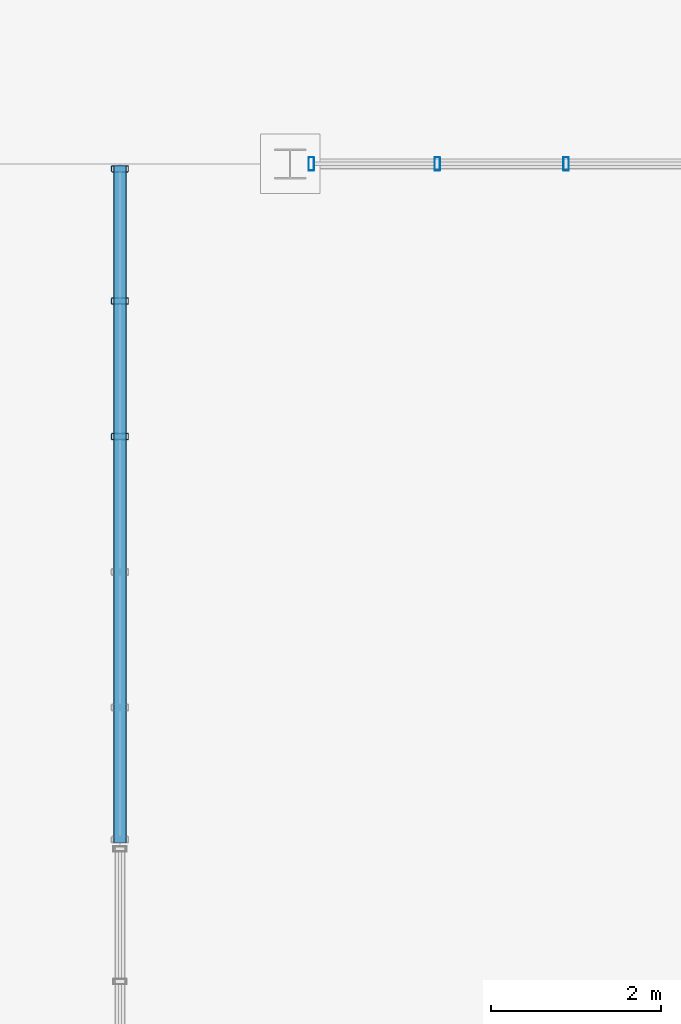
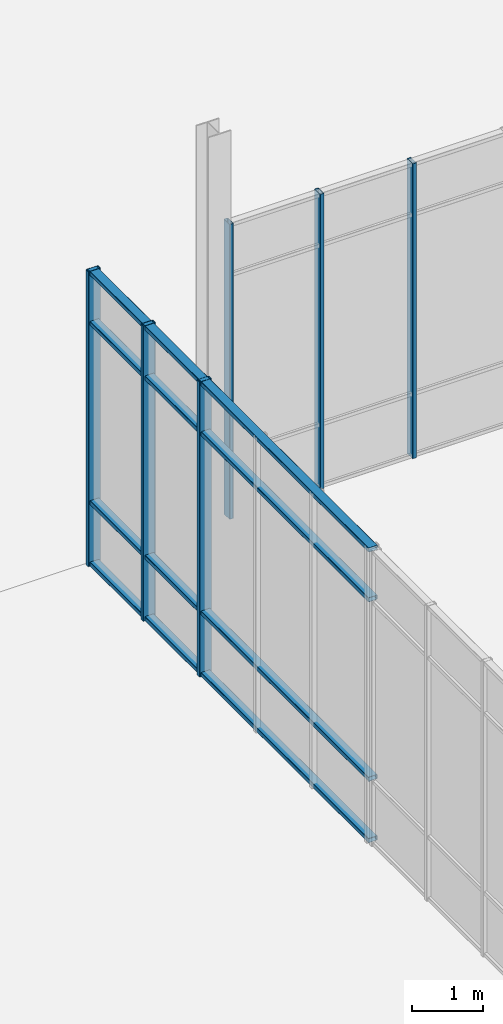
# One storey, part 63 of 140: 10 members, 2 elements without a shape of their own.
"""IFC4 building model written with IfcOpenShell, lengths in metres."""

from ifc_helpers import new_model, si_unit, direction, frame, origin, origin_2d, place, context, subcontext, project, spatial, hollow_rectangle, extrude, material, material_profile, profile_set, type_object, element, aggregate, save


model = new_model("IFC4")

# Units and contexts
model_context = context("Model", 3, precision=1e-05, world=origin(), true_north=direction((0.0, 1.0)))
body_context = subcontext(model_context, "Body", "Model", "MODEL_VIEW")
ifc_project = project(units=[si_unit("LENGTHUNIT", "METRE"), si_unit("AREAUNIT", "SQUARE_METRE"), si_unit("VOLUMEUNIT", "CUBIC_METRE"), si_unit("PLANEANGLEUNIT", "RADIAN"), si_unit("MASSUNIT", "GRAM", prefix="KILO")], contexts=[model_context])

# Site, building, storey
site_placement = place(None, origin())
site = spatial("IfcSite", under=ifc_project, at=site_placement, CompositionType="ELEMENT")
building_placement = place(site_placement, origin())
building = spatial("IfcBuilding", under=site, at=building_placement, Name="Verrall Gate Interchange", CompositionType="ELEMENT")
storey_placement = place(building_placement, origin())
storey = spatial("IfcBuildingStorey", under=building, at=storey_placement, Name="L01", CompositionType="ELEMENT", Elevation=0.0)

# Curtain wall, members
ifc_material_1 = material(Name="Thermally Broken Anodized Aluminium Curtain Wall Framing", Category="aluminium")
curtain_wall_type_1 = type_object("IfcCurtainWallType", Name="CW-06 Unitized Curtain Wall 7631x5100", PredefinedType="NOTDEFINED", material=ifc_material_1)
curtain_wall_1_placement = place(storey_placement, origin())
curtain_wall_1 = element("IfcCurtainWall", 1, at=curtain_wall_1_placement, inside=storey, type_object=curtain_wall_type_1, Name="L01 Unitized Curtain Wall CW-L01-034", PredefinedType="NOTDEFINED")
ifc_material_2 = material(Name="Thermally Broken Anodized Aluminium Curtain Wall Framing", Category="aluminium")
ifc_material_profile_1 = material_profile(ifc_material_2, hollow_rectangle(XDim=0.06494140625, YDim=0.159912109375, WallThickness=0.00390625, InnerFilletRadius=0.00390625, OuterFilletRadius=0.008056640625, at=origin_2d()), Name="CWM160x65x4")
ifc_profile_set_1 = profile_set([ifc_material_profile_1], Name="Thermally Broken Anodized Aluminium Curtain Wall Framing")
member_type_1 = type_object("IfcMemberType", Name="CM-01 Curtain Mullion CWM160x65x4", PredefinedType="MULLION", material=ifc_profile_set_1)
member_1_placement = place(storey_placement, frame((63.243408203125, 90.0, 0.0), z_axis=(0.0, 0.0, 1.0), x_axis=(-1.0, 0.0, 0.0)))
member_1 = element("IfcMember", 2, at=member_1_placement, type_object=member_type_1, Name="CW-L01-034 Mullion 4", PredefinedType="MULLION", context=body_context, shape_type="SweptSolid", body=[
    extrude(hollow_rectangle(XDim=0.06494140625, YDim=0.159912109375, WallThickness=0.00390625, InnerFilletRadius=0.00390625, OuterFilletRadius=0.008056640625, at=origin_2d()), origin(), (0.0, 0.0, 1.0), 5.10009765625),
])
member_2_placement = place(storey_placement, frame((61.72998046875, 90.0, 0.0), z_axis=(0.0, 0.0, 1.0), x_axis=(-1.0, 0.0, 0.0)))
member_2 = element("IfcMember", 3, at=member_2_placement, type_object=member_type_1, Name="CW-L01-034 Mullion 5", PredefinedType="MULLION", context=body_context, shape_type="SweptSolid", body=[
    extrude(hollow_rectangle(XDim=0.06494140625, YDim=0.159912109375, WallThickness=0.00390625, InnerFilletRadius=0.00390625, OuterFilletRadius=0.008056640625, at=origin_2d()), origin(), (0.0, 0.0, 1.0), 5.10009765625),
])
member_3_placement = place(storey_placement, frame((60.2490234375, 90.0, 0.0), z_axis=(0.0, 0.0, 1.0), x_axis=(-1.0, 0.0, 0.0)))
member_3 = element("IfcMember", 4, at=member_3_placement, type_object=member_type_1, Name="CW-L01-034 Mullion 6", PredefinedType="MULLION", context=body_context, shape_type="SweptSolid", body=[
    extrude(hollow_rectangle(XDim=0.06494140625, YDim=0.159912109375, WallThickness=0.00390625, InnerFilletRadius=0.00390625, OuterFilletRadius=0.008056640625, at=origin_2d()), origin(), (0.0, 0.0, 1.0), 5.10009765625),
])
aggregate(curtain_wall_1, [member_1, member_2, member_3])

ifc_material_3 = material(Name="Thermally Broken Anodized Aluminium Curtain Wall Framing", Category="aluminium")
curtain_wall_type_2 = type_object("IfcCurtainWallType", Name="CW-09 Unitized Curtain Wall 7960x5100", PredefinedType="NOTDEFINED", material=ifc_material_3)
curtain_wall_2_placement = place(storey_placement, origin())
curtain_wall_2 = element("IfcCurtainWall", 5, at=curtain_wall_2_placement, inside=storey, type_object=curtain_wall_type_2, Name="L01 Unitized Curtain Wall CW-L01-035", PredefinedType="NOTDEFINED")
ifc_material_4 = material(Name="Thermally Broken Anodized Aluminium Curtain Wall Framing", Category="aluminium")
ifc_material_profile_2 = material_profile(ifc_material_4, hollow_rectangle(XDim=0.074951171875, YDim=0.199951171875, WallThickness=0.0048828125, InnerFilletRadius=0.0048828125, OuterFilletRadius=0.010009765625, at=origin_2d()), Name="CWM200x75x5")
ifc_profile_set_2 = profile_set([ifc_material_profile_2], Name="Thermally Broken Anodized Aluminium Curtain Wall Framing")
member_type_2 = type_object("IfcMemberType", Name="CM-02 Curtain Mullion CWM200x75x5", PredefinedType="MULLION", material=ifc_profile_set_2)
member_4_placement = place(storey_placement, frame((58.0, 89.9423828125, 0.0), z_axis=(0.0, 0.0, 1.0), x_axis=(0.0, -1.0, 0.0)))
member_4 = element("IfcMember", 6, at=member_4_placement, type_object=member_type_2, Name="CW-L01-035 Mullion 1", PredefinedType="MULLION", context=body_context, shape_type="SweptSolid", body=[
    extrude(hollow_rectangle(XDim=0.074951171875, YDim=0.199951171875, WallThickness=0.0048828125, InnerFilletRadius=0.0048828125, OuterFilletRadius=0.010009765625, at=origin_2d()), origin(), (0.0, 0.0, 1.0), 5.10009765625),
])
member_5_placement = place(storey_placement, frame((58.0, 88.387939453125, 0.0), z_axis=(0.0, 0.0, 1.0), x_axis=(0.0, -1.0, 0.0)))
member_5 = element("IfcMember", 7, at=member_5_placement, type_object=member_type_2, Name="CW-L01-035 Mullion 2", PredefinedType="MULLION", context=body_context, shape_type="SweptSolid", body=[
    extrude(hollow_rectangle(XDim=0.074951171875, YDim=0.199951171875, WallThickness=0.0048828125, InnerFilletRadius=0.0048828125, OuterFilletRadius=0.010009765625, at=origin_2d()), origin(), (0.0, 0.0, 1.0), 5.10009765625),
])
member_6_placement = place(storey_placement, frame((58.0, 86.7958984375, 0.0), z_axis=(0.0, 0.0, 1.0), x_axis=(0.0, -1.0, 0.0)))
member_6 = element("IfcMember", 8, at=member_6_placement, type_object=member_type_2, Name="CW-L01-035 Mullion 3", PredefinedType="MULLION", context=body_context, shape_type="SweptSolid", body=[
    extrude(hollow_rectangle(XDim=0.074951171875, YDim=0.199951171875, WallThickness=0.0048828125, InnerFilletRadius=0.0048828125, OuterFilletRadius=0.010009765625, at=origin_2d()), origin(), (0.0, 0.0, 1.0), 5.10009765625),
])
ifc_material_5 = material(Name="Thermally Broken Anodized Aluminium Curtain Wall Framing", Category="aluminium")
ifc_material_profile_3 = material_profile(ifc_material_5, hollow_rectangle(XDim=0.14990234375, YDim=0.074951171875, WallThickness=0.00439453125, InnerFilletRadius=0.00439453125, OuterFilletRadius=0.009033203125, at=origin_2d()), Name="CWT150x75x4.5")
ifc_profile_set_3 = profile_set([ifc_material_profile_3], Name="Thermally Broken Anodized Aluminium Curtain Wall Framing")
member_type_3 = type_object("IfcMemberType", Name="CT-02 Curtain Transom CWT150x75x4.5", PredefinedType="USERDEFINED", material=ifc_profile_set_3)
member_7_placement = place(storey_placement, frame((58.0, 89.97998046875, 0.03759765625), z_axis=(0.0, -1.0, 0.0), x_axis=(1.0, 0.0, 0.0)))
member_7 = element("IfcMember", 9, at=member_7_placement, type_object=member_type_3, Name="CW-L01-035 Transom 1", ObjectType="TRANSOM", PredefinedType="USERDEFINED", context=body_context, shape_type="SweptSolid", body=[
    extrude(hollow_rectangle(XDim=0.14990234375, YDim=0.074951171875, WallThickness=0.00439453125, InnerFilletRadius=0.00439453125, OuterFilletRadius=0.009033203125, at=origin_2d()), origin(), (0.0, 0.0, 1.0), 7.9599609375),
])
member_8_placement = place(storey_placement, frame((58.0, 89.97998046875, 1.10009765625), z_axis=(0.0, -1.0, 0.0), x_axis=(1.0, 0.0, 0.0)))
member_8 = element("IfcMember", 10, at=member_8_placement, type_object=member_type_3, Name="CW-L01-035 Transom 2", ObjectType="TRANSOM", PredefinedType="USERDEFINED", context=body_context, shape_type="SweptSolid", body=[
    extrude(hollow_rectangle(XDim=0.14990234375, YDim=0.074951171875, WallThickness=0.00439453125, InnerFilletRadius=0.00439453125, OuterFilletRadius=0.009033203125, at=origin_2d()), origin(), (0.0, 0.0, 1.0), 7.9599609375),
])
member_9_placement = place(storey_placement, frame((58.0, 89.97998046875, 4.199951171875), z_axis=(0.0, -1.0, 0.0), x_axis=(1.0, 0.0, 0.0)))
member_9 = element("IfcMember", 11, at=member_9_placement, type_object=member_type_3, Name="CW-L01-035 Transom 3", ObjectType="TRANSOM", PredefinedType="USERDEFINED", context=body_context, shape_type="SweptSolid", body=[
    extrude(hollow_rectangle(XDim=0.14990234375, YDim=0.074951171875, WallThickness=0.00439453125, InnerFilletRadius=0.00439453125, OuterFilletRadius=0.009033203125, at=origin_2d()), origin(), (0.0, 0.0, 1.0), 7.9599609375),
])
member_10_placement = place(storey_placement, frame((58.0, 89.97998046875, 5.0625), z_axis=(0.0, -1.0, 0.0), x_axis=(1.0, 0.0, 0.0)))
member_10 = element("IfcMember", 12, at=member_10_placement, type_object=member_type_3, Name="CW-L01-035 Transom 4", ObjectType="TRANSOM", PredefinedType="USERDEFINED", context=body_context, shape_type="SweptSolid", body=[
    extrude(hollow_rectangle(XDim=0.14990234375, YDim=0.074951171875, WallThickness=0.00439453125, InnerFilletRadius=0.00439453125, OuterFilletRadius=0.009033203125, at=origin_2d()), origin(), (0.0, 0.0, 1.0), 7.9599609375),
])
aggregate(curtain_wall_2, [member_4, member_5, member_6, member_7, member_8, member_9, member_10])

save(model, "model.ifc")
